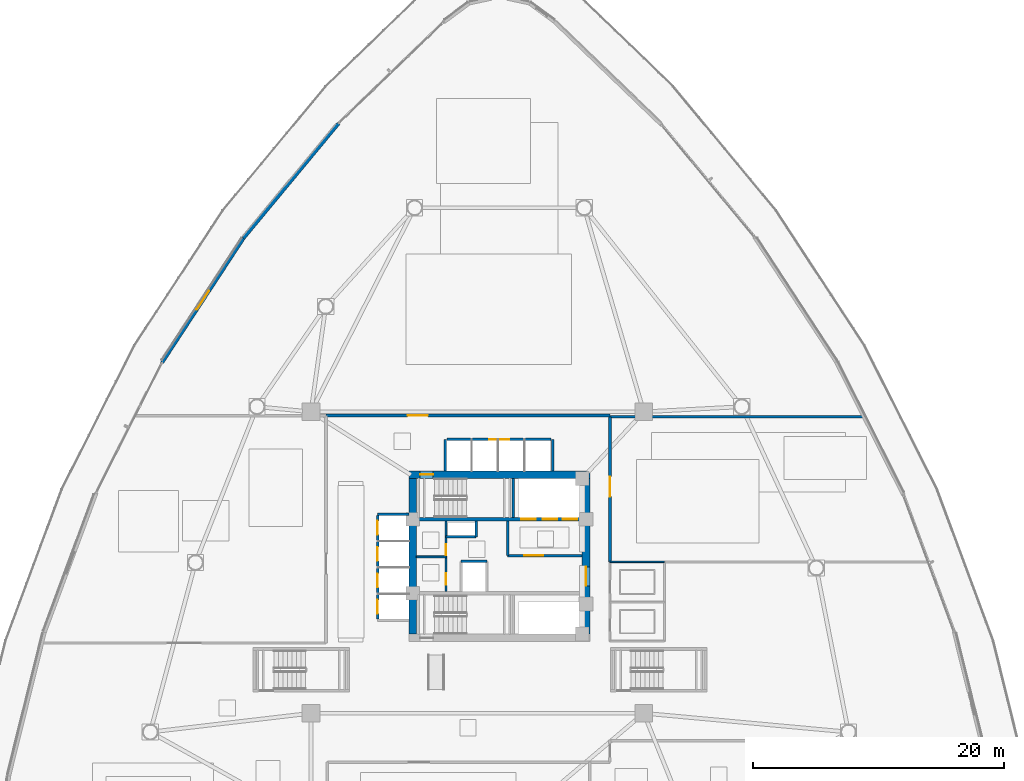
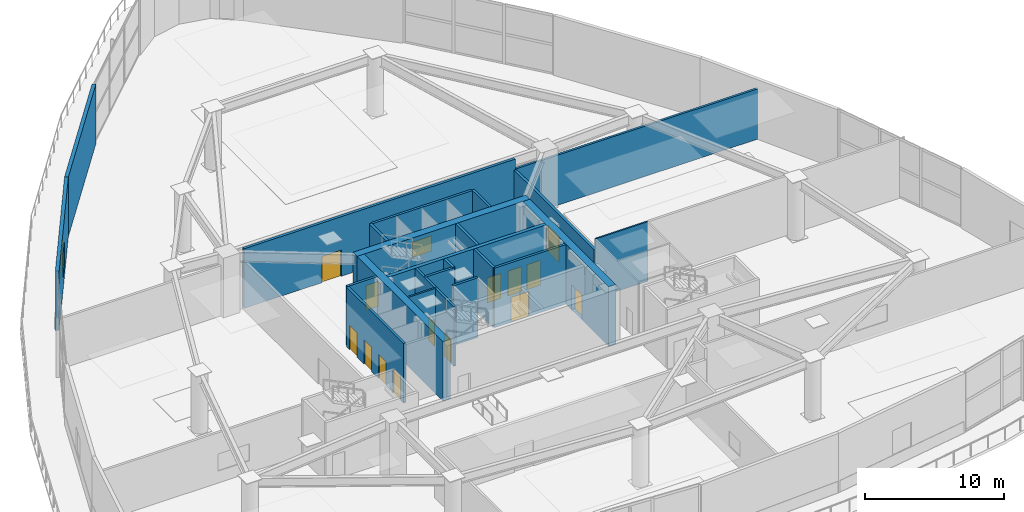
# One storey, part 14 of 26: 23 walls, 14 doors, 2 windows, 16 openings.
"""IFC4 building model written with IfcOpenShell, lengths in metres."""

import ifcopenshell
import ifcopenshell.guid

model = None  # the IFC model being written
_history = None  # IfcOwnerHistory: only IFC2X3 demands one
_inside = {}  # id of a spatial element -> (the spatial element, [elements in it])
_under = {}  # id of a project, library or spatial element -> (it, [spatial elements below it])
_declared = {}  # id of a project -> (the project, [libraries it declares])
_typed = {}  # id of a type object -> (the type object, [elements of that type])
_made_of = {}  # id of a material, layer set ... -> (it, [elements and type objects made of it])


def new_model(schema):
    """Start an empty IFC model of exactly this schema.

    Asked for "IFC4X3", IfcOpenShell would pick the latest addendum, in which some entities
    have other attributes; the version numbers below select the first issue.
    IFC2X3 requires an IfcOwnerHistory on every rooted entity: one is made here for all.
    """
    global model, _history
    if schema == "IFC4X3":
        model = ifcopenshell.file(schema_version=(4, 3, 0, 0))
    else:
        model = ifcopenshell.file(schema=schema)
    _inside.clear()
    _under.clear()
    _declared.clear()
    _typed.clear()
    _made_of.clear()
    _history = None
    if model.schema == "IFC2X3":
        org = make("IfcOrganization", Name="unknown")
        user = make(
            "IfcPersonAndOrganization",
            ThePerson=make("IfcPerson", FamilyName="unknown"),
            TheOrganization=org,
        )
        app = make(
            "IfcApplication",
            ApplicationDeveloper=org,
            Version="unknown",
            ApplicationFullName="unknown",
            ApplicationIdentifier="unknown",
        )
        _history = make(
            "IfcOwnerHistory",
            OwningUser=user,
            OwningApplication=app,
            ChangeAction="ADDED",
            CreationDate=0,
        )
    return model


def make(cls, **values):
    """One entity of the class cls with the attributes given. An attribute that is None is left unset."""
    return model.create_entity(
        cls, **{name: value for name, value in values.items() if value is not None}
    )


def rooted(cls, **values):
    """An entity with a GlobalId (a new one), such as an element, a storey or a relation."""
    return make(cls, GlobalId=ifcopenshell.guid.new(), OwnerHistory=_history, **values)


def si_unit(unit_type, name, prefix=None):
    """IfcSIUnit, for example si_unit("LENGTHUNIT", "METRE", prefix="MILLI")."""
    return make("IfcSIUnit", UnitType=unit_type, Prefix=prefix, Name=name)


def assignment(units):
    """IfcUnitAssignment: the units of a project."""
    return None if units is None else make("IfcUnitAssignment", Units=units)


def point(xyz):
    """IfcCartesianPoint."""
    return None if xyz is None else make("IfcCartesianPoint", Coordinates=xyz)


def direction(xyz):
    """IfcDirection."""
    return None if xyz is None else make("IfcDirection", DirectionRatios=xyz)


def frame(location, z_axis=None, x_axis=None):
    """IfcAxis2Placement3D, a coordinate frame: its origin and axes. An axis left out is left unset."""
    return make(
        "IfcAxis2Placement3D",
        Location=point(location),
        Axis=direction(z_axis),
        RefDirection=direction(x_axis),
    )


def frame_2d(location, x_axis=None):
    """IfcAxis2Placement2D, a coordinate frame in the plane: its origin and x axis."""
    return make(
        "IfcAxis2Placement2D", Location=point(location), RefDirection=direction(x_axis)
    )


def origin():
    """The frame at (0, 0, 0) with its axes left unset."""
    return frame((0.0, 0.0, 0.0))


def place(relative_to, where):
    """IfcLocalPlacement: puts the frame where relative to a parent placement (None: the world)."""
    return make(
        "IfcLocalPlacement", PlacementRelTo=relative_to, RelativePlacement=where
    )


def context(
    kind, dimensions, precision=None, world=None, true_north=None, identifier=None
):
    """IfcGeometricRepresentationContext, for example the 3D "Model" context."""
    return make(
        "IfcGeometricRepresentationContext",
        ContextIdentifier=identifier,
        ContextType=kind,
        CoordinateSpaceDimension=dimensions,
        Precision=precision,
        WorldCoordinateSystem=world,
        TrueNorth=true_north,
    )


def subcontext(parent, identifier, kind, view, scale=None):
    """IfcGeometricRepresentationSubContext, for example "Body" below "Model"."""
    return make(
        "IfcGeometricRepresentationSubContext",
        ContextIdentifier=identifier,
        ContextType=kind,
        ParentContext=parent,
        TargetScale=scale,
        TargetView=view,
    )


def project(units=None, contexts=None):
    """IfcProject with its units and contexts."""
    return rooted(
        "IfcProject",
        Name="project",
        RepresentationContexts=contexts,
        UnitsInContext=assignment(units),
    )


def spatial(cls, under=None, at=None, **own):
    """A site, building, storey or space (cls), placed at a placement, below another one or the project."""
    s = rooted(cls, ObjectPlacement=at, **own)
    if under is not None:
        _under.setdefault(under.id(), (under, []))[1].append(s)
    return s


def profile(cls, at=None, kind="AREA", **sizes):
    """A parametric profile (cls). Its sizes go by their IFC names, for example OverallWidth=200.0."""
    return make(cls, ProfileType=kind, Position=at, **sizes)


def rectangle(**sizes):
    """IfcRectangleProfileDef."""
    return profile("IfcRectangleProfileDef", **sizes)


def extrude(swept, where, along, depth):
    """IfcExtrudedAreaSolid: the profile swept, set in the frame where, extruded along a direction by depth."""
    return make(
        "IfcExtrudedAreaSolid",
        SweptArea=swept,
        Position=where,
        ExtrudedDirection=direction(along),
        Depth=depth,
    )


def shape(context_of_items, identifier, shape_type, items):
    """IfcShapeRepresentation: the items that make up one representation, for example the "Body"."""
    return make(
        "IfcShapeRepresentation",
        ContextOfItems=context_of_items,
        RepresentationIdentifier=identifier,
        RepresentationType=shape_type,
        Items=items,
    )


def material(Name=None, Category=None):
    """IfcMaterial."""
    return make("IfcMaterial", Name=Name, Category=Category)


def layer(
    of_material, thickness, ventilated=None, Name=None, Category=None, Priority=None
):
    """IfcMaterialLayer: one layer of a wall or slab, of a material (None: an air gap)."""
    return make(
        "IfcMaterialLayer",
        Material=of_material,
        LayerThickness=thickness,
        IsVentilated=ventilated,
        Name=Name,
        Category=Category,
        Priority=Priority,
    )


def layer_set(layers, Name=None):
    """IfcMaterialLayerSet."""
    return make("IfcMaterialLayerSet", MaterialLayers=layers, LayerSetName=Name)


def made_of(thing, what):
    """Note that an element or type object is made of a material, layer set ...; save() writes the relation."""
    if what is not None:
        _made_of.setdefault(what.id(), (what, []))[1].append(thing)
    return thing


def type_object(cls, material=None, **own):
    """A type object (cls), such as IfcWallType, which elements share."""
    return made_of(rooted(cls, **own), material)


def element(
    cls,
    number,
    at=None,
    inside=None,
    cuts=None,
    type_object=None,
    material=None,
    context=None,
    identifier="Body",
    shape_type=None,
    held_by="IfcProductDefinitionShape",
    body=None,
    shapes=None,
    **own,
):
    """One element of the class cls, such as IfcWall. Its Tag is "e" and its number.

    at: its placement. inside: the storey or other place that contains it. cuts: it is an
    opening in that element (IfcRelVoidsElement). A single representation is given by context,
    identifier, shape_type and body (its items); several are given by shapes. held_by: the class
    of the entity that holds the representations. save() writes the other relations.
    """
    e = rooted(cls, Tag="e%d" % number, ObjectPlacement=at, **own)
    if body is not None:
        shapes = [shape(context, identifier, shape_type, body)]
    if shapes is not None:
        e.Representation = make(held_by, Representations=shapes)
    if inside is not None:
        _inside.setdefault(inside.id(), (inside, []))[1].append(e)
    if cuts is not None:
        rooted(
            "IfcRelVoidsElement", RelatingBuildingElement=cuts, RelatedOpeningElement=e
        )
    if type_object is not None:
        _typed.setdefault(type_object.id(), (type_object, []))[1].append(e)
    return made_of(e, material)


def fill(opening, filler):
    """IfcRelFillsElement: the door or window that sits in an opening."""
    return rooted(
        "IfcRelFillsElement",
        RelatingOpeningElement=opening,
        RelatedBuildingElement=filler,
    )


def aggregate(whole, parts):
    """IfcRelAggregates: a whole, such as a stair, and the parts it consists of."""
    return rooted("IfcRelAggregates", RelatingObject=whole, RelatedObjects=parts)


def save(model, path):
    """Write the relations noted so far, then the file.

    IfcRelAggregates (storeys below a building ...), IfcRelContainedInSpatialStructure (elements
    in a storey), IfcRelDefinesByType, IfcRelAssociatesMaterial and IfcRelDeclares: one each for
    every whole, place, type object, material and project.
    """
    for whole, parts in _under.values():
        aggregate(whole, parts)
    for where, things in _inside.values():
        rooted(
            "IfcRelContainedInSpatialStructure",
            RelatedElements=things,
            RelatingStructure=where,
        )
    for kind, things in _typed.values():
        rooted("IfcRelDefinesByType", RelatedObjects=things, RelatingType=kind)
    for what, things in _made_of.values():
        rooted("IfcRelAssociatesMaterial", RelatedObjects=things, RelatingMaterial=what)
    for by, libraries in _declared.values():
        rooted("IfcRelDeclares", RelatingContext=by, RelatedDefinitions=libraries)
    model.write(path)


model = new_model("IFC4")

# Units and contexts
model_context = context("Model", 3, precision=1e-05, world=origin(), true_north=direction((0.0, 1.0)))
body_context = subcontext(model_context, "Body", "Model", "MODEL_VIEW")
ifc_project = project(units=[si_unit("LENGTHUNIT", "METRE"), si_unit("AREAUNIT", "SQUARE_METRE"), si_unit("VOLUMEUNIT", "CUBIC_METRE"), si_unit("PLANEANGLEUNIT", "RADIAN"), si_unit("MASSUNIT", "GRAM", prefix="KILO")], contexts=[model_context])

# Site, building, storey
site_placement = place(None, origin())
site = spatial("IfcSite", under=ifc_project, at=site_placement, CompositionType="ELEMENT")
building_placement = place(site_placement, origin())
building = spatial("IfcBuilding", under=site, at=building_placement, Name="Tavelor Broadcast Tower", CompositionType="ELEMENT")
storey_placement = place(building_placement, frame((0.0, 0.0, 5.800048828125)))
storey = spatial("IfcBuildingStorey", under=building, at=storey_placement, Name="L01", CompositionType="ELEMENT", Elevation=5.800048828125)

# Wall, opening, door
ifc_material_1 = material(Name="Concrete C60/75", Category="concrete")
ifc_layer_1 = layer(ifc_material_1, 0.60009765625)
ifc_layer_set_1 = layer_set([ifc_layer_1], Name="Concrete C60/75")
wall_type_1 = type_object("IfcWallType", Name="Core Shear Wall 600 mm", PredefinedType="SHEAR", material=ifc_layer_set_1)
wall_1_placement = place(storey_placement, frame((42.800048828125, 51.5, 0.0), z_axis=(0.0, 0.0, 1.0), x_axis=(1.0, 0.0, 0.0)))
wall_1 = element("IfcWall", 1, at=wall_1_placement, inside=storey, type_object=wall_type_1, Name="L01 Central Core Shear Wall N", PredefinedType="SHEAR", context=body_context, shape_type="SweptSolid", body=[
    extrude(rectangle(XDim=14.39990234375, YDim=0.60009765625, at=frame_2d((7.199951171875, 0.0))), origin(), (0.0, 0.0, 1.0), 5.25),
])
opening_1_placement = place(wall_1_placement, frame((0.8798828125, 0.0, 0.0)))
opening_1 = element("IfcOpeningElement", 2, at=opening_1_placement, cuts=wall_1, Name="Opening DR11", PredefinedType="OPENING", context=body_context, shape_type="SweptSolid", body=[
    extrude(rectangle(XDim=1.050048828125, YDim=2.199951171875, at=frame_2d((0.52490234375, 1.10009765625))), frame((0.0, 0.31005859375, 0.0), z_axis=(0.0, -1.0, 0.0), x_axis=(1.0, 0.0, 0.0)), (0.0, 0.0, 1.0), 0.6201171875),
])
ifc_material_2 = material(Name="Steel S355", Category="steel")
door_type_1 = type_object("IfcDoorType", Name="Stair Core Fire Escape Door 1050x2200", OperationType="NOTDEFINED", PredefinedType="DOOR", material=ifc_material_2)
door_1_placement = place(opening_1_placement, origin())
door_1 = element("IfcDoor", 3, at=door_1_placement, inside=storey, type_object=door_type_1, Name="L01 Stair ST1 Protected Exit Door", OperationType="SINGLE_SWING_LEFT", OverallHeight=2.199951171875, OverallWidth=1.050048828125, PredefinedType="DOOR", context=body_context, shape_type="SweptSolid", body=[
    extrude(rectangle(XDim=1.050048828125, YDim=2.199951171875, at=frame_2d((0.52490234375, 1.10009765625))), frame((0.0, 0.02490234375, 0.0), z_axis=(0.0, -1.0, 0.0), x_axis=(1.0, 0.0, 0.0)), (0.0, 0.0, 1.0), 0.050048828125),
])
fill(opening_1, door_1)

# Wall
wall_2_placement = place(storey_placement, frame((43.10009765625, 38.800048828125, 0.0), z_axis=(0.0, 0.0, 1.0), x_axis=(0.0, 1.0, 0.0)))
element("IfcWall", 4, at=wall_2_placement, inside=storey, type_object=wall_type_1, Name="L01 Central Core Shear Wall W", PredefinedType="SHEAR", context=body_context, shape_type="SweptSolid", body=[
    extrude(rectangle(XDim=12.39990234375, YDim=0.60009765625, at=frame_2d((6.199951171875, 0.0))), origin(), (0.0, 0.0, 1.0), 5.25),
])

# Wall, opening, door
wall_3_placement = place(storey_placement, frame((56.89990234375, 38.800048828125, 0.0), z_axis=(0.0, 0.0, 1.0), x_axis=(0.0, 1.0, 0.0)))
wall_3 = element("IfcWall", 5, at=wall_3_placement, inside=storey, type_object=wall_type_1, Name="L01 Central Core Shear Wall E", PredefinedType="SHEAR", context=body_context, shape_type="SweptSolid", body=[
    extrude(rectangle(XDim=12.39990234375, YDim=0.60009765625, at=frame_2d((6.199951171875, 0.0))), origin(), (0.0, 0.0, 1.0), 5.25),
])
opening_2_placement = place(wall_3_placement, frame((3.85009765625, 0.0, 0.0)))
opening_2 = element("IfcOpeningElement", 6, at=opening_2_placement, cuts=wall_3, Name="Opening DR14", PredefinedType="OPENING", context=body_context, shape_type="SweptSolid", body=[
    extrude(rectangle(XDim=1.5, YDim=2.199951171875, at=frame_2d((0.75, 1.10009765625))), frame((0.0, 0.31005859375, 0.0), z_axis=(0.0, -1.0, 0.0), x_axis=(1.0, 0.0, 0.0)), (0.0, 0.0, 1.0), 0.6201171875),
])
door_type_2 = type_object("IfcDoorType", Name="Firefighting Lobby Double Fire Door 1500x2200", OperationType="NOTDEFINED", PredefinedType="DOOR", material=ifc_material_2)
door_2_placement = place(opening_2_placement, origin())
door_2 = element("IfcDoor", 7, at=door_2_placement, inside=storey, type_object=door_type_2, Name="L01 Central Core Lobby Fire Door", OperationType="SINGLE_SWING_LEFT", OverallHeight=2.199951171875, OverallWidth=1.5, PredefinedType="DOOR", context=body_context, shape_type="SweptSolid", body=[
    extrude(rectangle(XDim=1.5, YDim=2.199951171875, at=frame_2d((0.75, 1.10009765625))), frame((0.0, 0.02490234375, 0.0), z_axis=(0.0, -1.0, 0.0), x_axis=(1.0, 0.0, 0.0)), (0.0, 0.0, 1.0), 0.050048828125),
])
fill(opening_2, door_2)

# Wall, openings, doors
ifc_layer_2 = layer(ifc_material_1, 0.300048828125)
ifc_layer_set_2 = layer_set([ifc_layer_2], Name="Concrete C60/75")
wall_type_2 = type_object("IfcWallType", Name="Core Spine Shear Wall 300 mm C60", PredefinedType="SHEAR", material=ifc_layer_set_2)
wall_4_placement = place(storey_placement, frame((43.39990234375, 47.949951171875, 0.0), z_axis=(0.0, 0.0, 1.0), x_axis=(1.0, 0.0, 0.0)))
wall_4 = element("IfcWall", 8, at=wall_4_placement, inside=storey, type_object=wall_type_2, Name="L01 Central Core Shear Wall SP1", PredefinedType="SHEAR", context=body_context, shape_type="SweptSolid", body=[
    extrude(rectangle(XDim=13.2001953125, YDim=0.300048828125, at=frame_2d((6.60009765625, 0.0))), origin(), (0.0, 0.0, 1.0), 5.25),
])
opening_3_placement = place(wall_4_placement, frame((8.344970703125, 0.0, 0.0)))
opening_3 = element("IfcOpeningElement", 9, at=opening_3_placement, cuts=wall_4, Name="Opening LD02", PredefinedType="OPENING", context=body_context, shape_type="SweptSolid", body=[
    extrude(rectangle(XDim=1.14990234375, YDim=2.199951171875, at=frame_2d((0.574951171875, 1.10009765625))), frame((0.0, 0.16015625, 0.0), z_axis=(0.0, -1.0, 0.0), x_axis=(1.0, 0.0, 0.0)), (0.0, 0.0, 1.0), 0.320068359375),
])
opening_4_placement = place(wall_4_placement, frame((10.06494140625, 0.0, 0.0)))
opening_4 = element("IfcOpeningElement", 10, at=opening_4_placement, cuts=wall_4, Name="Opening LD02", PredefinedType="OPENING", context=body_context, shape_type="SweptSolid", body=[
    extrude(rectangle(XDim=1.14990234375, YDim=2.199951171875, at=frame_2d((0.574951171875, 1.10009765625))), frame((0.0, 0.16015625, 0.0), z_axis=(0.0, -1.0, 0.0), x_axis=(1.0, 0.0, 0.0)), (0.0, 0.0, 1.0), 0.320068359375),
])
opening_5_placement = place(wall_4_placement, frame((11.64501953125, 0.0, 0.0)))
opening_5 = element("IfcOpeningElement", 11, at=opening_5_placement, cuts=wall_4, Name="Opening LD03", PredefinedType="OPENING", context=body_context, shape_type="SweptSolid", body=[
    extrude(rectangle(XDim=1.14990234375, YDim=2.199951171875, at=frame_2d((0.574951171875, 1.10009765625))), frame((0.0, 0.16015625, 0.0), z_axis=(0.0, -1.0, 0.0), x_axis=(1.0, 0.0, 0.0)), (0.0, 0.0, 1.0), 0.320068359375),
])
ifc_material_3 = material(Name="Reinforced Brushed Stainless Steel", Category="concrete")
door_type_3 = type_object("IfcDoorType", Name="Broadcast Goods Lift Sliding Landing Door 1250x2200", OperationType="NOTDEFINED", PredefinedType="DOOR", material=ifc_material_3)
door_3_placement = place(opening_5_placement, origin())
door_3 = element("IfcDoor", 12, at=door_3_placement, inside=storey, type_object=door_type_3, Name="L01 Lift SVL1 Sliding Landing Door", OperationType="SLIDING_TO_LEFT", OverallHeight=2.199951171875, OverallWidth=1.14990234375, PredefinedType="DOOR", context=body_context, shape_type="SweptSolid", body=[
    extrude(rectangle(XDim=1.14990234375, YDim=2.199951171875, at=frame_2d((0.574951171875, 1.10009765625))), frame((0.0, 0.02490234375, 0.0), z_axis=(0.0, -1.0, 0.0), x_axis=(1.0, 0.0, 0.0)), (0.0, 0.0, 1.0), 0.050048828125),
])
fill(opening_5, door_3)
ifc_material_4 = material(Name="Fire-Rated Stainless Steel", Category="steel")
door_type_4 = type_object("IfcDoorType", Name="Firefighting Lift Sliding Landing Door 1200x2200", OperationType="NOTDEFINED", PredefinedType="DOOR", material=ifc_material_4)
door_4_placement = place(opening_3_placement, origin())
door_4 = element("IfcDoor", 13, at=door_4_placement, inside=storey, type_object=door_type_4, Name="L01 Lift FFL1 Sliding Landing Door", OperationType="SLIDING_TO_LEFT", OverallHeight=2.199951171875, OverallWidth=1.14990234375, PredefinedType="DOOR", context=body_context, shape_type="SweptSolid", body=[
    extrude(rectangle(XDim=1.14990234375, YDim=2.199951171875, at=frame_2d((0.574951171875, 1.10009765625))), frame((0.0, 0.02490234375, 0.0), z_axis=(0.0, -1.0, 0.0), x_axis=(1.0, 0.0, 0.0)), (0.0, 0.0, 1.0), 0.050048828125),
])
fill(opening_3, door_4)
door_5_placement = place(opening_4_placement, origin())
door_5 = element("IfcDoor", 14, at=door_5_placement, inside=storey, type_object=door_type_4, Name="L01 Lift FFL2 Sliding Landing Door", OperationType="SLIDING_TO_LEFT", OverallHeight=2.199951171875, OverallWidth=1.14990234375, PredefinedType="DOOR", context=body_context, shape_type="SweptSolid", body=[
    extrude(rectangle(XDim=1.14990234375, YDim=2.199951171875, at=frame_2d((0.574951171875, 1.10009765625))), frame((0.0, 0.02490234375, 0.0), z_axis=(0.0, -1.0, 0.0), x_axis=(1.0, 0.0, 0.0)), (0.0, 0.0, 1.0), 0.050048828125),
])
fill(opening_4, door_5)

ifc_material_5 = material(Name="Calcium Silicate Fire Board 180 mm", Category="gypsum")
ifc_layer_3 = layer(ifc_material_5, 0.179931640625)
ifc_layer_set_3 = layer_set([ifc_layer_3], Name="Calcium Silicate Fire Board 180 mm")
wall_type_3 = type_object("IfcWallType", Name="Fire-Rated Corridor Partition Wall 180 mm", PredefinedType="PARTITIONING", material=ifc_layer_set_3)
wall_5_placement = place(storey_placement, frame((45.75, 42.199951171875, 0.0), z_axis=(0.0, 0.0, 1.0), x_axis=(0.0, 1.0, 0.0)))
wall_5 = element("IfcWall", 15, at=wall_5_placement, inside=storey, type_object=wall_type_3, Name="L01 Core West Service East Wall", PredefinedType="PARTITIONING", context=body_context, shape_type="SweptSolid", body=[
    extrude(rectangle(XDim=5.60009765625, YDim=0.179931640625, at=frame_2d((2.800048828125, 0.0))), origin(), (0.0, 0.0, 1.0), 5.25),
])
opening_6_placement = place(wall_5_placement, frame((0.550048828125, 0.0, 0.0)))
opening_6 = element("IfcOpeningElement", 16, at=opening_6_placement, cuts=wall_5, Name="Opening DR32", PredefinedType="OPENING", context=body_context, shape_type="SweptSolid", body=[
    extrude(rectangle(XDim=0.89990234375, YDim=2.050048828125, at=frame_2d((0.449951171875, 1.02490234375))), frame((0.0, 0.10009765625, 0.0), z_axis=(0.0, -1.0, 0.0), x_axis=(1.0, 0.0, 0.0)), (0.0, 0.0, 1.0), 0.199951171875),
])
opening_7_placement = place(wall_5_placement, frame((2.89990234375, 0.0, 0.0)))
opening_7 = element("IfcOpeningElement", 17, at=opening_7_placement, cuts=wall_5, Name="Opening DR36", PredefinedType="OPENING", context=body_context, shape_type="SweptSolid", body=[
    extrude(rectangle(XDim=0.85009765625, YDim=2.050048828125, at=frame_2d((0.425048828125, 1.02490234375))), frame((0.0, 0.10009765625, 0.0), z_axis=(0.0, -1.0, 0.0), x_axis=(1.0, 0.0, 0.0)), (0.0, 0.0, 1.0), 0.199951171875),
])
ifc_material_6 = material(Name="Timber Solid Core Hardwood", Category="wood")
door_type_5 = type_object("IfcDoorType", Name="Accessible Washroom Door 900x2050", OperationType="NOTDEFINED", PredefinedType="DOOR", material=ifc_material_6)
door_6_placement = place(opening_6_placement, origin())
door_6 = element("IfcDoor", 18, at=door_6_placement, inside=storey, type_object=door_type_5, Name="L01 Core Accessible WC Door", OperationType="SINGLE_SWING_LEFT", OverallHeight=2.050048828125, OverallWidth=0.89990234375, PredefinedType="DOOR", context=body_context, shape_type="SweptSolid", body=[
    extrude(rectangle(XDim=0.89990234375, YDim=2.050048828125, at=frame_2d((0.449951171875, 1.02490234375))), frame((0.0, 0.02490234375, 0.0), z_axis=(0.0, -1.0, 0.0), x_axis=(1.0, 0.0, 0.0)), (0.0, 0.0, 1.0), 0.050048828125),
])
fill(opening_6, door_6)
door_type_6 = type_object("IfcDoorType", Name="Service Room Fire Door 850x2050", OperationType="NOTDEFINED", PredefinedType="DOOR", material=ifc_material_2)
door_7_placement = place(opening_7_placement, origin())
door_7 = element("IfcDoor", 19, at=door_7_placement, inside=storey, type_object=door_type_6, Name="L01 Core Cleaner Store Door", OperationType="SINGLE_SWING_RIGHT", OverallHeight=2.050048828125, OverallWidth=0.85009765625, PredefinedType="DOOR", context=body_context, shape_type="SweptSolid", body=[
    extrude(rectangle(XDim=0.85009765625, YDim=2.050048828125, at=frame_2d((0.425048828125, 1.02490234375))), frame((0.0, 0.02490234375, 0.0), z_axis=(0.0, -1.0, 0.0), x_axis=(1.0, 0.0, 0.0)), (0.0, 0.0, 1.0), 0.050048828125),
])
fill(opening_7, door_7)

# Walls
wall_6_placement = place(storey_placement, frame((58.800048828125, 56.10009765625, 0.0), z_axis=(0.0, 0.0, 1.0), x_axis=(1.0, 0.0, 0.0)))
element("IfcWall", 20, at=wall_6_placement, inside=storey, type_object=wall_type_3, Name="L01 East Room North Wall", PredefinedType="PARTITIONING", context=body_context, shape_type="SweptSolid", body=[
    extrude(rectangle(XDim=20.19189453125, YDim=0.179931640625, at=frame_2d((10.095947265625, 0.0))), origin(), (0.0, 0.0, 1.0), 4.425048828125),
])
ifc_material_7 = material(Name="Precast Concrete C40/50", Category="concrete")
ifc_layer_4 = layer(ifc_material_7, 0.280029296875)
ifc_layer_set_4 = layer_set([ifc_layer_4], Name="Precast Concrete C40/50")
wall_type_4 = type_object("IfcWallType", Name="Insulated Precast Terracotta Facade Wall 280 mm", PredefinedType="STANDARD", material=ifc_layer_set_4)
wall_7_placement = place(storey_placement, frame((37.191650390625, 79.465576171875, 0.0), z_axis=(0.0, 0.0, 1.0), x_axis=(-0.638077461357, -0.76997217697, 0.0)))
element("IfcWall", 21, at=wall_7_placement, inside=storey, type_object=wall_type_4, Name="L01 Precast Terracotta Facade Wall 06", PredefinedType="STANDARD", context=body_context, shape_type="SweptSolid", body=[
    extrude(rectangle(XDim=11.866943359375, YDim=0.280029296875, at=frame_2d((5.93359375, 0.0))), origin(), (0.0, 0.0, 1.0), 5.25),
])

# Wall, opening, window
wall_8_placement = place(storey_placement, frame((29.637451171875, 70.352294921875, 0.0), z_axis=(0.0, 0.0, 1.0), x_axis=(-0.547801883892, -0.836608089851, 0.0)))
wall_8 = element("IfcWall", 22, at=wall_8_placement, inside=storey, type_object=wall_type_4, Name="L01 Precast Terracotta Facade Wall 07", PredefinedType="STANDARD", context=body_context, shape_type="SweptSolid", body=[
    extrude(rectangle(XDim=11.866943359375, YDim=0.280029296875, at=frame_2d((5.93359375, 0.0))), origin(), (0.0, 0.0, 1.0), 5.25),
])
opening_8_placement = place(wall_8_placement, frame((5.03369140625, 0.0, 1.0)))
opening_8 = element("IfcOpeningElement", 23, at=opening_8_placement, cuts=wall_8, Name="Opening WN11", PredefinedType="OPENING", context=body_context, shape_type="SweptSolid", body=[
    extrude(rectangle(XDim=1.800048828125, YDim=2.199951171875, at=frame_2d((0.89990234375, 1.10009765625))), frame((0.0, 0.14990234375, 0.0), z_axis=(0.0, -1.0, 0.0), x_axis=(1.0, 0.0, 0.0)), (0.0, 0.0, 1.0), 0.300048828125),
])
ifc_material_8 = material(Name="Acoustic Double Glazing 28 mm", Category="glass")
window_type_1 = type_object("IfcWindowType", Name="Podium Studio Acoustic Punched Window 1800x2200", PartitioningType="SINGLE_PANEL", PredefinedType="WINDOW", material=ifc_material_8)
window_1_placement = place(opening_8_placement, origin())
window_1 = element("IfcWindow", 24, at=window_1_placement, inside=storey, type_object=window_type_1, Name="L01 Broadcast Facade Window 07", OverallHeight=2.199951171875, OverallWidth=1.800048828125, PartitioningType="SINGLE_PANEL", PredefinedType="WINDOW", context=body_context, shape_type="SweptSolid", body=[
    extrude(rectangle(XDim=1.800048828125, YDim=2.199951171875, at=frame_2d((0.89990234375, 1.10009765625))), frame((0.0, 0.030029296875, 0.0), z_axis=(0.0, -1.0, 0.0), x_axis=(1.0, 0.0, 0.0)), (0.0, 0.0, 1.0), 0.06005859375),
])
fill(opening_8, window_1)

# Wall
ifc_material_9 = material(Name="Gypsum Acoustic Plasterboard 150 mm", Category="gypsum")
ifc_layer_5 = layer(ifc_material_9, 0.14990234375)
ifc_layer_set_5 = layer_set([ifc_layer_5], Name="Gypsum Acoustic Plasterboard 150 mm")
wall_type_5 = type_object("IfcWallType", Name="Interior Acoustic Partition Wall 150 mm", PredefinedType="PARTITIONING", material=ifc_layer_set_5)
wall_9_placement = place(storey_placement, frame((43.39990234375, 44.949951171875, 0.0), z_axis=(0.0, 0.0, 1.0), x_axis=(1.0, 0.0, 0.0)))
element("IfcWall", 25, at=wall_9_placement, inside=storey, type_object=wall_type_5, Name="L01 Core Split Wall A", PredefinedType="PARTITIONING", context=body_context, shape_type="SweptSolid", body=[
    extrude(rectangle(XDim=2.35009765625, YDim=0.14990234375, at=frame_2d((1.175048828125, 0.0))), origin(), (0.0, 0.0, 1.0), 5.25),
])

# Wall, openings, doors
ifc_material_10 = material(Name="Concrete Blockwork 200 mm", Category="masonry")
ifc_layer_6 = layer(ifc_material_10, 0.199951171875)
ifc_layer_set_6 = layer_set([ifc_layer_6], Name="Concrete Blockwork 200 mm")
wall_type_6 = type_object("IfcWallType", Name="Lift Hoistway Rated Front Wall 200 mm", PredefinedType="PARTITIONING", material=ifc_layer_set_6)
wall_10_placement = place(storey_placement, frame((40.300048828125, 40.02001953125, 0.0), z_axis=(0.0, 0.0, 1.0), x_axis=(0.0, 1.0, 0.0)))
wall_10 = element("IfcWall", 26, at=wall_10_placement, inside=storey, type_object=wall_type_6, Name="L01 Low-Rise Lift Hoistway Front Wall", PredefinedType="PARTITIONING", context=body_context, shape_type="SweptSolid", body=[
    extrude(rectangle(XDim=8.2099609375, YDim=0.199951171875, at=frame_2d((4.10498046875, 0.0))), origin(), (0.0, 0.0, 1.0), 5.25),
])
opening_9_placement = place(wall_10_placement, frame((0.405029296875, 0.0, 0.0)))
opening_9 = element("IfcOpeningElement", 27, at=opening_9_placement, cuts=wall_10, Name="Opening LD01", PredefinedType="OPENING", context=body_context, shape_type="SweptSolid", body=[
    extrude(rectangle(XDim=1.10009765625, YDim=2.14990234375, at=frame_2d((0.550048828125, 1.074951171875))), frame((0.0, 0.10986328125, 0.0), z_axis=(0.0, -1.0, 0.0), x_axis=(1.0, 0.0, 0.0)), (0.0, 0.0, 1.0), 0.219970703125),
])
opening_10_placement = place(wall_10_placement, frame((2.5048828125, 0.0, 0.0)))
opening_10 = element("IfcOpeningElement", 28, at=opening_10_placement, cuts=wall_10, Name="Opening LD01", PredefinedType="OPENING", context=body_context, shape_type="SweptSolid", body=[
    extrude(rectangle(XDim=1.10009765625, YDim=2.14990234375, at=frame_2d((0.550048828125, 1.074951171875))), frame((0.0, 0.10986328125, 0.0), z_axis=(0.0, -1.0, 0.0), x_axis=(1.0, 0.0, 0.0)), (0.0, 0.0, 1.0), 0.219970703125),
])
opening_11_placement = place(wall_10_placement, frame((4.60498046875, 0.0, 0.0)))
opening_11 = element("IfcOpeningElement", 29, at=opening_11_placement, cuts=wall_10, Name="Opening LD01", PredefinedType="OPENING", context=body_context, shape_type="SweptSolid", body=[
    extrude(rectangle(XDim=1.10009765625, YDim=2.14990234375, at=frame_2d((0.550048828125, 1.074951171875))), frame((0.0, 0.10986328125, 0.0), z_axis=(0.0, -1.0, 0.0), x_axis=(1.0, 0.0, 0.0)), (0.0, 0.0, 1.0), 0.219970703125),
])
opening_12_placement = place(wall_10_placement, frame((6.705078125, 0.0, 0.0)))
opening_12 = element("IfcOpeningElement", 30, at=opening_12_placement, cuts=wall_10, Name="Opening LD01", PredefinedType="OPENING", context=body_context, shape_type="SweptSolid", body=[
    extrude(rectangle(XDim=1.10009765625, YDim=2.14990234375, at=frame_2d((0.550048828125, 1.074951171875))), frame((0.0, 0.10986328125, 0.0), z_axis=(0.0, -1.0, 0.0), x_axis=(1.0, 0.0, 0.0)), (0.0, 0.0, 1.0), 0.219970703125),
])
ifc_material_11 = material(Name="Brushed Stainless Steel", Category="steel")
door_type_7 = type_object("IfcDoorType", Name="Passenger Lift Sliding Landing Door 1100x2150", OperationType="NOTDEFINED", PredefinedType="DOOR", material=ifc_material_11)
door_8_placement = place(opening_9_placement, origin())
door_8 = element("IfcDoor", 31, at=door_8_placement, inside=storey, type_object=door_type_7, Name="L01 Lift PLL1 Sliding Landing Door", OperationType="SLIDING_TO_LEFT", OverallHeight=2.14990234375, OverallWidth=1.10009765625, PredefinedType="DOOR", context=body_context, shape_type="SweptSolid", body=[
    extrude(rectangle(XDim=1.10009765625, YDim=2.14990234375, at=frame_2d((0.550048828125, 1.074951171875))), frame((0.0, 0.02490234375, 0.0), z_axis=(0.0, -1.0, 0.0), x_axis=(1.0, 0.0, 0.0)), (0.0, 0.0, 1.0), 0.050048828125),
])
fill(opening_9, door_8)
door_9_placement = place(opening_10_placement, origin())
door_9 = element("IfcDoor", 32, at=door_9_placement, inside=storey, type_object=door_type_7, Name="L01 Lift PLL2 Sliding Landing Door", OperationType="SLIDING_TO_RIGHT", OverallHeight=2.14990234375, OverallWidth=1.10009765625, PredefinedType="DOOR", context=body_context, shape_type="SweptSolid", body=[
    extrude(rectangle(XDim=1.10009765625, YDim=2.14990234375, at=frame_2d((0.550048828125, 1.074951171875))), frame((0.0, 0.02490234375, 0.0), z_axis=(0.0, -1.0, 0.0), x_axis=(1.0, 0.0, 0.0)), (0.0, 0.0, 1.0), 0.050048828125),
])
fill(opening_10, door_9)
door_10_placement = place(opening_11_placement, origin())
door_10 = element("IfcDoor", 33, at=door_10_placement, inside=storey, type_object=door_type_7, Name="L01 Lift PLL3 Sliding Landing Door", OperationType="SLIDING_TO_LEFT", OverallHeight=2.14990234375, OverallWidth=1.10009765625, PredefinedType="DOOR", context=body_context, shape_type="SweptSolid", body=[
    extrude(rectangle(XDim=1.10009765625, YDim=2.14990234375, at=frame_2d((0.550048828125, 1.074951171875))), frame((0.0, 0.02490234375, 0.0), z_axis=(0.0, -1.0, 0.0), x_axis=(1.0, 0.0, 0.0)), (0.0, 0.0, 1.0), 0.050048828125),
])
fill(opening_11, door_10)
door_11_placement = place(opening_12_placement, origin())
door_11 = element("IfcDoor", 34, at=door_11_placement, inside=storey, type_object=door_type_7, Name="L01 Lift PLL4 Sliding Landing Door", OperationType="SLIDING_TO_RIGHT", OverallHeight=2.14990234375, OverallWidth=1.10009765625, PredefinedType="DOOR", context=body_context, shape_type="SweptSolid", body=[
    extrude(rectangle(XDim=1.10009765625, YDim=2.14990234375, at=frame_2d((0.550048828125, 1.074951171875))), frame((0.0, 0.02490234375, 0.0), z_axis=(0.0, -1.0, 0.0), x_axis=(1.0, 0.0, 0.0)), (0.0, 0.0, 1.0), 0.050048828125),
])
fill(opening_12, door_11)

# Wall, opening, window
wall_11_placement = place(storey_placement, frame((45.820068359375, 54.300048828125, 0.0), z_axis=(0.0, 0.0, 1.0), x_axis=(1.0, 0.0, 0.0)))
wall_11 = element("IfcWall", 35, at=wall_11_placement, inside=storey, type_object=wall_type_6, Name="L01 High-Rise Lift Hoistway Front Wall", PredefinedType="PARTITIONING", context=body_context, shape_type="SweptSolid", body=[
    extrude(rectangle(XDim=8.309814453125, YDim=0.199951171875, at=frame_2d((4.15478515625, 0.0))), origin(), (0.0, 0.0, 1.0), 5.25),
])
opening_13_placement = place(wall_11_placement, frame((3.35498046875, 0.0, 1.050048828125)))
opening_13 = element("IfcOpeningElement", 36, at=opening_13_placement, cuts=wall_11, Name="Opening WN05", PredefinedType="OPENING", context=body_context, shape_type="SweptSolid", body=[
    extrude(rectangle(XDim=1.60009765625, YDim=1.35009765625, at=frame_2d((0.800048828125, 0.675048828125))), frame((0.0, 0.10986328125, 0.0), z_axis=(0.0, -1.0, 0.0), x_axis=(1.0, 0.0, 0.0)), (0.0, 0.0, 1.0), 0.219970703125),
])
window_type_2 = type_object("IfcWindowType", Name="Audio Booth Acoustic Observation Window 1600x1350", PartitioningType="SINGLE_PANEL", PredefinedType="WINDOW", material=ifc_material_8)
window_2_placement = place(opening_13_placement, origin())
window_2 = element("IfcWindow", 37, at=window_2_placement, inside=storey, type_object=window_type_2, Name="L01 Studio Acoustic Observation Window 010", OverallHeight=1.35009765625, OverallWidth=1.60009765625, PartitioningType="SINGLE_PANEL", PredefinedType="WINDOW", context=body_context, shape_type="SweptSolid", body=[
    extrude(rectangle(XDim=1.60009765625, YDim=1.35009765625, at=frame_2d((0.800048828125, 0.675048828125))), frame((0.0, 0.030029296875, 0.0), z_axis=(0.0, -1.0, 0.0), x_axis=(1.0, 0.0, 0.0)), (0.0, 0.0, 1.0), 0.06005859375),
])
fill(opening_13, window_2)

# Walls
ifc_layer_7 = layer(ifc_material_10, 0.199951171875)
ifc_layer_set_7 = layer_set([ifc_layer_7], Name="Concrete Blockwork 200 mm")
wall_type_7 = type_object("IfcWallType", Name="Lift and Riser Shaft Enclosure Wall 200 mm", PredefinedType="PARTITIONING", material=ifc_layer_set_7)
for number, where, z_axis, x_axis, name in (
    (38, (40.300048828125, 48.35009765625, 0.0), (0.0, 0.0, 1.0), (1.0, 0.0, 0.0), "L01 Low-Rise Lift Shaft North Wall"),
    (39, (45.699951171875, 51.800048828125, 0.0), (0.0, 0.0, 1.0), (0.0, 1.0, 0.0), "L01 High-Rise Lift Shaft West Wall"),
    (40, (54.25, 51.800048828125, 0.0), (0.0, 0.0, 1.0), (0.0, 1.0, 0.0), "L01 High-Rise Lift Shaft East Wall"),
):
    element("IfcWall", number, at=place(storey_placement, frame(where, z_axis=z_axis, x_axis=x_axis)), inside=storey, type_object=wall_type_7, Name=name, PredefinedType="PARTITIONING", context=body_context, shape_type="SweptSolid", body=[
        extrude(rectangle(XDim=2.5, YDim=0.199951171875, at=frame_2d((1.25, 0.0))), origin(), (0.0, 0.0, 1.0), 5.25),
    ])
wall_12_placement = place(storey_placement, frame((45.75, 46.550048828125, 0.0), z_axis=(0.0, 0.0, 1.0), x_axis=(1.0, 0.0, 0.0)))
element("IfcWall", 41, at=wall_12_placement, inside=storey, type_object=wall_type_7, Name="L01 Riser Shaft South Wall", PredefinedType="PARTITIONING", context=body_context, shape_type="SweptSolid", body=[
    extrude(rectangle(XDim=2.39990234375, YDim=0.199951171875, at=frame_2d((1.199951171875, 0.0))), origin(), (0.0, 0.0, 1.0), 5.25),
])
wall_13_placement = place(storey_placement, frame((48.14990234375, 46.550048828125, 0.0), z_axis=(0.0, 0.0, 1.0), x_axis=(0.0, 1.0, 0.0)))
element("IfcWall", 42, at=wall_13_placement, inside=storey, type_object=wall_type_7, Name="L01 Riser Shaft East Wall", PredefinedType="PARTITIONING", context=body_context, shape_type="SweptSolid", body=[
    extrude(rectangle(XDim=1.25, YDim=0.199951171875, at=frame_2d((0.625, 0.0))), origin(), (0.0, 0.0, 1.0), 5.25),
])
wall_14_placement = place(storey_placement, frame((46.949951171875, 44.60009765625, 0.0), z_axis=(0.0, 0.0, 1.0), x_axis=(1.0, 0.0, 0.0)))
element("IfcWall", 43, at=wall_14_placement, inside=storey, type_object=wall_type_7, Name="L01 Mid-Rise Lift PLM4 North Wall", PredefinedType="PARTITIONING", context=body_context, shape_type="SweptSolid", body=[
    extrude(rectangle(XDim=2.050048828125, YDim=0.199951171875, at=frame_2d((1.02490234375, 0.0))), origin(), (0.0, 0.0, 1.0), 5.25),
])

# Wall, opening, door
wall_15_placement = place(storey_placement, frame((50.64990234375, 45.050048828125, 0.0), z_axis=(0.0, 0.0, 1.0), x_axis=(1.0, 0.0, 0.0)))
wall_15 = element("IfcWall", 44, at=wall_15_placement, inside=storey, type_object=wall_type_7, Name="L01 Firefighting Lobby South Wall", PredefinedType="PARTITIONING", context=body_context, shape_type="SweptSolid", body=[
    extrude(rectangle(XDim=5.9501953125, YDim=0.199951171875, at=frame_2d((2.97509765625, 0.0))), origin(), (0.0, 0.0, 1.0), 5.25),
])
opening_14_placement = place(wall_15_placement, frame((1.35009765625, 0.0, 0.0)))
opening_14 = element("IfcOpeningElement", 45, at=opening_14_placement, cuts=wall_15, Name="Opening DR14", PredefinedType="OPENING", context=body_context, shape_type="SweptSolid", body=[
    extrude(rectangle(XDim=1.5, YDim=2.199951171875, at=frame_2d((0.75, 1.10009765625))), frame((0.0, 0.10986328125, 0.0), z_axis=(0.0, -1.0, 0.0), x_axis=(1.0, 0.0, 0.0)), (0.0, 0.0, 1.0), 0.219970703125),
])
door_12_placement = place(opening_14_placement, origin())
door_12 = element("IfcDoor", 46, at=door_12_placement, inside=storey, type_object=door_type_2, Name="L01 Firefighting Lobby Compartment Door", OperationType="SINGLE_SWING_RIGHT", OverallHeight=2.199951171875, OverallWidth=1.5, PredefinedType="DOOR", context=body_context, shape_type="SweptSolid", body=[
    extrude(rectangle(XDim=1.5, YDim=2.199951171875, at=frame_2d((0.75, 1.10009765625))), frame((0.0, 0.02490234375, 0.0), z_axis=(0.0, -1.0, 0.0), x_axis=(1.0, 0.0, 0.0)), (0.0, 0.0, 1.0), 0.050048828125),
])
fill(opening_14, door_12)

# Walls
wall_16_placement = place(storey_placement, frame((50.64990234375, 45.050048828125, 0.0), z_axis=(0.0, 0.0, 1.0), x_axis=(0.0, 1.0, 0.0)))
element("IfcWall", 47, at=wall_16_placement, inside=storey, type_object=wall_type_7, Name="L01 Firefighting Lobby West Wall", PredefinedType="PARTITIONING", context=body_context, shape_type="SweptSolid", body=[
    extrude(rectangle(XDim=2.75, YDim=0.199951171875, at=frame_2d((1.375, 0.0))), origin(), (0.0, 0.0, 1.0), 5.25),
])
ifc_material_12 = material(Name="Moisture-Resistant Plasterboard 120 mm", Category="gypsum")
ifc_layer_8 = layer(ifc_material_12, 0.1201171875)
ifc_layer_set_8 = layer_set([ifc_layer_8], Name="Moisture-Resistant Plasterboard 120 mm")
wall_type_8 = type_object("IfcWallType", Name="Moisture-Resistant Wet-Room Partition 120 mm", PredefinedType="PARTITIONING", material=ifc_layer_set_8)
wall_17_placement = place(storey_placement, frame((58.800048828125, 44.550048828125, 0.0), z_axis=(0.0, 0.0, 1.0), x_axis=(1.0, 0.0, 0.0)))
element("IfcWall", 48, at=wall_17_placement, inside=storey, type_object=wall_type_8, Name="L01 Podium WC North Wall", PredefinedType="PARTITIONING", context=body_context, shape_type="SweptSolid", body=[
    extrude(rectangle(XDim=4.349853515625, YDim=0.1201171875, at=frame_2d((2.1748046875, 0.0))), origin(), (0.0, 0.0, 1.0), 5.25),
])
ifc_material_13 = material(Name="Concrete C40/50", Category="concrete")
ifc_layer_9 = layer(ifc_material_13, 0.219970703125)
ifc_layer_set_9 = layer_set([ifc_layer_9], Name="Concrete C40/50")
wall_type_9 = type_object("IfcWallType", Name="Structural Stairwell Shear Wall 220 mm", PredefinedType="SHEAR", material=ifc_layer_set_9)
wall_18_placement = place(storey_placement, frame((51.110107421875, 48.10009765625, 0.0), z_axis=(0.0, 0.0, 1.0), x_axis=(0.0, 1.0, 0.0)))
element("IfcWall", 49, at=wall_18_placement, inside=storey, type_object=wall_type_9, Name="L01 Stair ST1 Structural Shaft Wall", PredefinedType="SHEAR", context=body_context, shape_type="SweptSolid", body=[
    extrude(rectangle(XDim=3.099853515625, YDim=0.219970703125, at=frame_2d((1.5498046875, 0.0))), origin(), (0.0, 0.0, 1.0), 5.25),
])

# Wall, opening, door
ifc_material_14 = material(Name="Masonry Blockwork 220 mm", Category="masonry")
ifc_layer_10 = layer(ifc_material_14, 0.219970703125)
ifc_layer_set_10 = layer_set([ifc_layer_10], Name="Masonry Blockwork 220 mm")
wall_type_10 = type_object("IfcWallType", Name="Studio Double-Leaf Acoustic Isolation Wall 220 mm", PredefinedType="PARTITIONING", material=ifc_layer_set_10)
wall_19_placement = place(storey_placement, frame((36.199951171875, 56.199951171875, 0.0), z_axis=(0.0, 0.0, 1.0), x_axis=(1.0, 0.0, 0.0)))
wall_19 = element("IfcWall", 50, at=wall_19_placement, inside=storey, type_object=wall_type_10, Name="L01 North Hall Concourse Wall", PredefinedType="PARTITIONING", context=body_context, shape_type="SweptSolid", body=[
    extrude(rectangle(XDim=22.60009765625, YDim=0.219970703125, at=frame_2d((11.300048828125, 0.0))), origin(), (0.0, 0.0, 1.0), 5.25),
])
opening_15_placement = place(wall_19_placement, frame((6.5, 0.0, 0.0)))
opening_15 = element("IfcOpeningElement", 51, at=opening_15_placement, cuts=wall_19, Name="Opening DR27", PredefinedType="OPENING", context=body_context, shape_type="SweptSolid", body=[
    extrude(rectangle(XDim=1.60009765625, YDim=2.300048828125, at=frame_2d((0.800048828125, 1.14990234375))), frame((0.0, 0.1201171875, 0.0), z_axis=(0.0, -1.0, 0.0), x_axis=(1.0, 0.0, 0.0)), (0.0, 0.0, 1.0), 0.239990234375),
])
ifc_material_15 = material(Name="Steel Acoustic Composite", Category="steel")
door_type_8 = type_object("IfcDoorType", Name="Studio Acoustic Sound-Lock Double Door 1600x2300", OperationType="NOTDEFINED", PredefinedType="DOOR", material=ifc_material_15)
door_13_placement = place(opening_15_placement, origin())
door_13 = element("IfcDoor", 52, at=door_13_placement, inside=storey, type_object=door_type_8, Name="L01 Public Mezzanine Broadcast Gallery Door", OperationType="SINGLE_SWING_RIGHT", OverallHeight=2.300048828125, OverallWidth=1.60009765625, PredefinedType="DOOR", context=body_context, shape_type="SweptSolid", body=[
    extrude(rectangle(XDim=1.60009765625, YDim=2.300048828125, at=frame_2d((0.800048828125, 1.14990234375))), frame((0.0, 0.02490234375, 0.0), z_axis=(0.0, -1.0, 0.0), x_axis=(1.0, 0.0, 0.0)), (0.0, 0.0, 1.0), 0.050048828125),
])
fill(opening_15, door_13)

wall_20_placement = place(storey_placement, frame((58.800048828125, 44.550048828125, 0.0), z_axis=(0.0, 0.0, 1.0), x_axis=(0.0, 1.0, 0.0)))
wall_20 = element("IfcWall", 53, at=wall_20_placement, inside=storey, type_object=wall_type_10, Name="L01 Master Control Room Concourse Wall", PredefinedType="PARTITIONING", context=body_context, shape_type="SweptSolid", body=[
    extrude(rectangle(XDim=11.550048828125, YDim=0.219970703125, at=frame_2d((5.77490234375, 0.0))), origin(), (0.0, 0.0, 1.0), 4.324951171875),
])
opening_16_placement = place(wall_20_placement, frame((5.199951171875, 0.0, 0.0)))
opening_16 = element("IfcOpeningElement", 54, at=opening_16_placement, cuts=wall_20, Name="Opening DR27", PredefinedType="OPENING", context=body_context, shape_type="SweptSolid", body=[
    extrude(rectangle(XDim=1.60009765625, YDim=2.300048828125, at=frame_2d((0.800048828125, 1.14990234375))), frame((0.0, 0.1201171875, 0.0), z_axis=(0.0, -1.0, 0.0), x_axis=(1.0, 0.0, 0.0)), (0.0, 0.0, 1.0), 0.239990234375),
])
door_14_placement = place(opening_16_placement, origin())
door_14 = element("IfcDoor", 55, at=door_14_placement, inside=storey, type_object=door_type_8, Name="L01 Master Control Room Acoustic Door", OperationType="DOUBLE_DOOR_SINGLE_SWING", OverallHeight=2.300048828125, OverallWidth=1.60009765625, PredefinedType="DOOR", context=body_context, shape_type="SweptSolid", body=[
    extrude(rectangle(XDim=1.60009765625, YDim=2.300048828125, at=frame_2d((0.800048828125, 1.14990234375))), frame((0.0, 0.02490234375, 0.0), z_axis=(0.0, -1.0, 0.0), x_axis=(1.0, 0.0, 0.0)), (0.0, 0.0, 1.0), 0.050048828125),
])
fill(opening_16, door_14)

save(model, "model.ifc")
